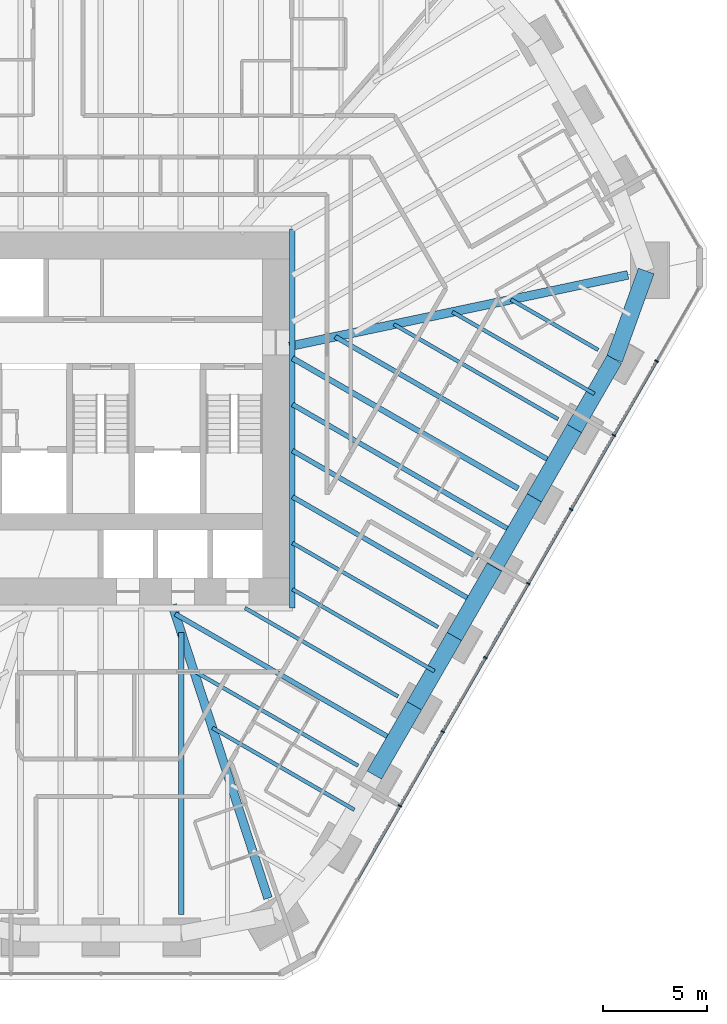
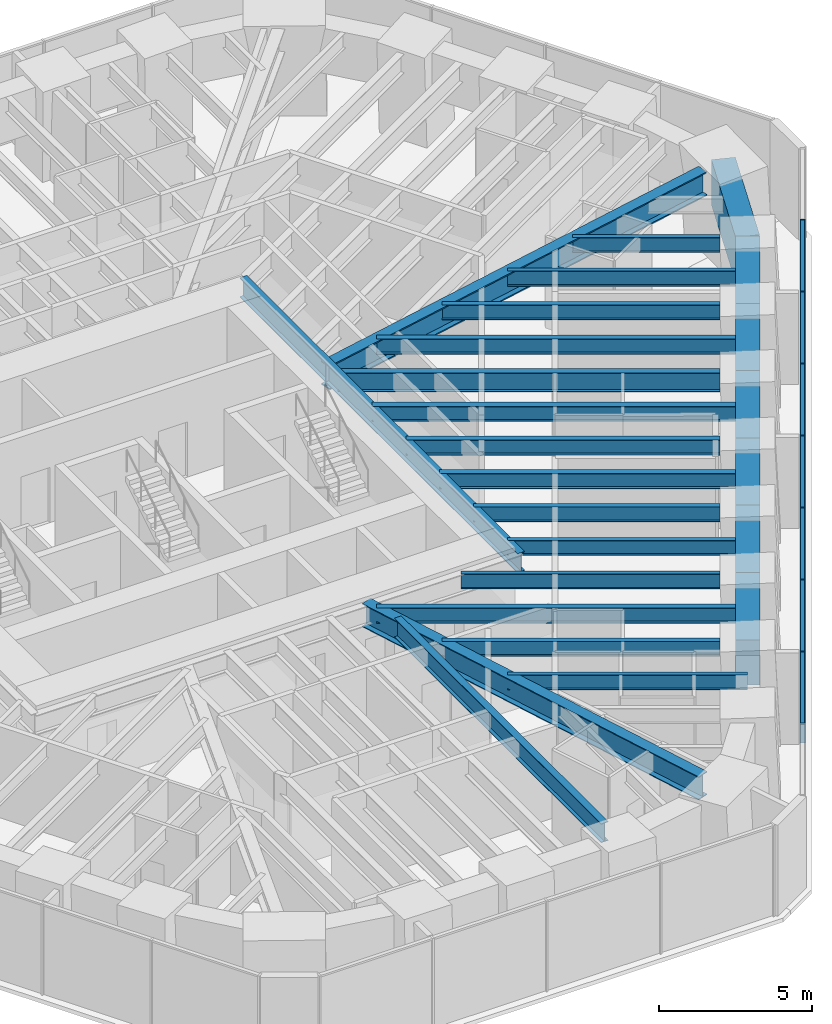
# One storey, part 5 of 18: 25 beams, 14 members, 1 element without a shape of its own.
"""IFC4 building model written with IfcOpenShell, lengths in metres."""

from ifc_helpers import new_model, si_unit, direction, frame, origin, origin_2d, place, context, subcontext, project, spatial, rectangle, i_section, extrude, material, material_profile, profile_set, type_object, element, aggregate, save


model = new_model("IFC4")

# Units and contexts
model_context = context("Model", 3, precision=1e-05, world=origin(), true_north=direction((0.0, 1.0)))
body_context = subcontext(model_context, "Body", "Model", "MODEL_VIEW")
ifc_project = project(units=[si_unit("LENGTHUNIT", "METRE"), si_unit("AREAUNIT", "SQUARE_METRE"), si_unit("VOLUMEUNIT", "CUBIC_METRE"), si_unit("PLANEANGLEUNIT", "RADIAN"), si_unit("MASSUNIT", "GRAM", prefix="KILO")], contexts=[model_context])

# Site, building, storey
site_placement = place(None, origin())
site = spatial("IfcSite", under=ifc_project, at=site_placement, CompositionType="ELEMENT")
building_placement = place(site_placement, origin())
building = spatial("IfcBuilding", under=site, at=building_placement, Name="Sandreach Pilgrim Tower", CompositionType="ELEMENT")
storey_placement = place(building_placement, frame((0.0, 0.0, 157.60009765625)))
storey = spatial("IfcBuildingStorey", under=building, at=storey_placement, Name="L39", CompositionType="ELEMENT", Elevation=157.60009765625)

# Curtain wall, members
ifc_material_1 = material(Name="Aluminium framed curtain wall", Category="aluminium")
curtain_wall_type = type_object("IfcCurtainWallType", Name="Hotel tower curtain wall", PredefinedType="NOTDEFINED", material=ifc_material_1)
curtain_wall_placement = place(storey_placement, origin())
curtain_wall = element("IfcCurtainWall", 1, at=curtain_wall_placement, inside=storey, type_object=curtain_wall_type, Name="CW-2 L39 SE", PredefinedType="NOTDEFINED")
ifc_material_2 = material(Name="Aluminium extrusion", Category="aluminium")
ifc_material_profile_1 = material_profile(ifc_material_2, rectangle(XDim=0.06494140625, YDim=0.179931640625, at=origin_2d()), Name="CW-2M 65X180")
ifc_profile_set_1 = profile_set([ifc_material_profile_1], Name="Aluminium extrusion")
member_type_1 = type_object("IfcMemberType", Name="CW-2 mullion", PredefinedType="MULLION", material=ifc_profile_set_1)
member_1_placement = place(storey_placement, frame((26.66748046875, 1.20166015625, 0.0), z_axis=(0.0, 0.0, 1.0), x_axis=(-0.5, -0.866025403784, 0.0)))
member_1 = element("IfcMember", 2, at=member_1_placement, type_object=member_type_1, Name="CW-2 mullion 2", PredefinedType="MULLION", context=body_context, shape_type="SweptSolid", body=[
    extrude(rectangle(XDim=0.06494140625, YDim=0.179931640625, at=origin_2d()), origin(), (0.0, 0.0, 1.0), 3.639892578125),
])
member_2_placement = place(storey_placement, frame((24.614013671875, -2.35498046875, 0.0), z_axis=(0.0, 0.0, 1.0), x_axis=(-0.5, -0.866025403784, 0.0)))
member_2 = element("IfcMember", 3, at=member_2_placement, type_object=member_type_1, Name="CW-2 mullion 3", PredefinedType="MULLION", context=body_context, shape_type="SweptSolid", body=[
    extrude(rectangle(XDim=0.06494140625, YDim=0.179931640625, at=origin_2d()), origin(), (0.0, 0.0, 1.0), 3.639892578125),
])
member_3_placement = place(storey_placement, frame((22.560302734375, -5.911865234375, 0.0), z_axis=(0.0, 0.0, 1.0), x_axis=(-0.5, -0.866025403784, 0.0)))
member_3 = element("IfcMember", 4, at=member_3_placement, type_object=member_type_1, Name="CW-2 mullion 4", PredefinedType="MULLION", context=body_context, shape_type="SweptSolid", body=[
    extrude(rectangle(XDim=0.06494140625, YDim=0.179931640625, at=origin_2d()), origin(), (0.0, 0.0, 1.0), 3.639892578125),
])
member_4_placement = place(storey_placement, frame((20.5068359375, -9.468505859375, 0.0), z_axis=(0.0, 0.0, 1.0), x_axis=(-0.5, -0.866025403784, 0.0)))
member_4 = element("IfcMember", 5, at=member_4_placement, type_object=member_type_1, Name="CW-2 mullion 5", PredefinedType="MULLION", context=body_context, shape_type="SweptSolid", body=[
    extrude(rectangle(XDim=0.06494140625, YDim=0.179931640625, at=origin_2d()), origin(), (0.0, 0.0, 1.0), 3.639892578125),
])
member_5_placement = place(storey_placement, frame((18.453369140625, -13.025146484375, 0.0), z_axis=(0.0, 0.0, 1.0), x_axis=(-0.5, -0.866025403784, 0.0)))
member_5 = element("IfcMember", 6, at=member_5_placement, type_object=member_type_1, Name="CW-2 mullion 6", PredefinedType="MULLION", context=body_context, shape_type="SweptSolid", body=[
    extrude(rectangle(XDim=0.06494140625, YDim=0.179931640625, at=origin_2d()), origin(), (0.0, 0.0, 1.0), 3.639892578125),
])
member_6_placement = place(storey_placement, frame((16.39990234375, -16.58203125, 0.0), z_axis=(0.0, 0.0, 1.0), x_axis=(-0.5, -0.866025403784, 0.0)))
member_6 = element("IfcMember", 7, at=member_6_placement, type_object=member_type_1, Name="CW-2 mullion 7", PredefinedType="MULLION", context=body_context, shape_type="SweptSolid", body=[
    extrude(rectangle(XDim=0.06494140625, YDim=0.179931640625, at=origin_2d()), origin(), (0.0, 0.0, 1.0), 3.639892578125),
])
member_7_placement = place(storey_placement, frame((14.346435546875, -20.138671875, 0.0), z_axis=(0.0, 0.0, 1.0), x_axis=(-0.5, -0.866025403784, 0.0)))
member_7 = element("IfcMember", 8, at=member_7_placement, type_object=member_type_1, Name="CW-2 mullion 8", PredefinedType="MULLION", context=body_context, shape_type="SweptSolid", body=[
    extrude(rectangle(XDim=0.06494140625, YDim=0.179931640625, at=origin_2d()), origin(), (0.0, 0.0, 1.0), 3.639892578125),
])
ifc_material_3 = material(Name="Aluminium extrusion", Category="aluminium")
ifc_material_profile_2 = material_profile(ifc_material_3, rectangle(XDim=0.139892578125, YDim=0.070068359375, at=origin_2d()), Name="CW-2T 140X70")
ifc_profile_set_2 = profile_set([ifc_material_profile_2], Name="Aluminium extrusion")
member_type_2 = type_object("IfcMemberType", Name="CW-2 transom", PredefinedType="USERDEFINED", material=ifc_profile_set_2)
member_8_placement = place(storey_placement, frame((26.651123046875, 1.173583984375, 3.60498046875), z_axis=(-0.499997818338, -0.866026663364, 0.0), x_axis=(0.866026663364, -0.499997818338, 0.0)))
member_8 = element("IfcMember", 9, at=member_8_placement, type_object=member_type_2, Name="CW-2 head transom 2", ObjectType="TRANSOM", PredefinedType="USERDEFINED", context=body_context, shape_type="SweptSolid", body=[
    extrude(rectangle(XDim=0.139892578125, YDim=0.070068359375, at=origin_2d()), origin(), (0.0, 0.0, 1.0), 4.0419921875),
])
member_9_placement = place(storey_placement, frame((24.59765625, -2.38330078125, 3.60498046875), z_axis=(-0.500023973715, -0.866011562111, 0.0), x_axis=(0.866011562111, -0.500023973715, 0.0)))
member_9 = element("IfcMember", 10, at=member_9_placement, type_object=member_type_2, Name="CW-2 head transom 3", ObjectType="TRANSOM", PredefinedType="USERDEFINED", context=body_context, shape_type="SweptSolid", body=[
    extrude(rectangle(XDim=0.139892578125, YDim=0.070068359375, at=origin_2d()), origin(), (0.0, 0.0, 1.0), 4.041748046875),
])
member_10_placement = place(storey_placement, frame((22.544189453125, -5.93994140625, 3.60498046875), z_axis=(-0.499997818338, -0.866026663364, 0.0), x_axis=(0.866026663364, -0.499997818338, 0.0)))
member_10 = element("IfcMember", 11, at=member_10_placement, type_object=member_type_2, Name="CW-2 head transom 4", ObjectType="TRANSOM", PredefinedType="USERDEFINED", context=body_context, shape_type="SweptSolid", body=[
    extrude(rectangle(XDim=0.139892578125, YDim=0.070068359375, at=origin_2d()), origin(), (0.0, 0.0, 1.0), 4.0419921875),
])
member_11_placement = place(storey_placement, frame((20.49072265625, -9.49658203125, 3.60498046875), z_axis=(-0.499997818338, -0.866026663364, 0.0), x_axis=(0.866026663364, -0.499997818338, 0.0)))
member_11 = element("IfcMember", 12, at=member_11_placement, type_object=member_type_2, Name="CW-2 head transom 5", ObjectType="TRANSOM", PredefinedType="USERDEFINED", context=body_context, shape_type="SweptSolid", body=[
    extrude(rectangle(XDim=0.139892578125, YDim=0.070068359375, at=origin_2d()), origin(), (0.0, 0.0, 1.0), 4.0419921875),
])
member_12_placement = place(storey_placement, frame((18.437255859375, -13.053466796875, 3.60498046875), z_axis=(-0.499997818338, -0.866026663364, 0.0), x_axis=(0.866026663364, -0.499997818338, 0.0)))
member_12 = element("IfcMember", 13, at=member_12_placement, type_object=member_type_2, Name="CW-2 head transom 6", ObjectType="TRANSOM", PredefinedType="USERDEFINED", context=body_context, shape_type="SweptSolid", body=[
    extrude(rectangle(XDim=0.139892578125, YDim=0.070068359375, at=origin_2d()), origin(), (0.0, 0.0, 1.0), 4.0419921875),
])
member_13_placement = place(storey_placement, frame((16.3837890625, -16.610107421875, 3.60498046875), z_axis=(-0.499997818338, -0.866026663364, 0.0), x_axis=(0.866026663364, -0.499997818338, 0.0)))
member_13 = element("IfcMember", 14, at=member_13_placement, type_object=member_type_2, Name="CW-2 head transom 7", ObjectType="TRANSOM", PredefinedType="USERDEFINED", context=body_context, shape_type="SweptSolid", body=[
    extrude(rectangle(XDim=0.139892578125, YDim=0.070068359375, at=origin_2d()), origin(), (0.0, 0.0, 1.0), 4.0419921875),
])
member_14_placement = place(storey_placement, frame((14.330322265625, -20.1669921875, 3.60498046875), z_axis=(-0.500023973715, -0.866011562111, 0.0), x_axis=(0.866011562111, -0.500023973715, 0.0)))
member_14 = element("IfcMember", 15, at=member_14_placement, type_object=member_type_2, Name="CW-2 head transom 8", ObjectType="TRANSOM", PredefinedType="USERDEFINED", context=body_context, shape_type="SweptSolid", body=[
    extrude(rectangle(XDim=0.139892578125, YDim=0.070068359375, at=origin_2d()), origin(), (0.0, 0.0, 1.0), 4.041748046875),
])
aggregate(curtain_wall, [member_1, member_2, member_3, member_4, member_5, member_6, member_7, member_8, member_9, member_10, member_11, member_12, member_13, member_14])

# Beams
ifc_material_4 = material(Name="Steel ASTM A992 Grade 50", Category="steel")
ifc_material_profile_3 = material_profile(ifc_material_4, i_section(OverallWidth=0.2666015625, OverallDepth=0.77978515625, WebThickness=0.0166015625, FlangeThickness=0.030029296875, at=origin_2d()), Name="W30X148")
ifc_profile_set_3 = profile_set([ifc_material_profile_3], Name="Steel ASTM A992 Grade 50")
beam_type_1 = type_object("IfcBeamType", Name="Core edge beam W30X148", PredefinedType="BEAM", material=ifc_profile_set_3)
beam_1_placement = place(storey_placement, frame((9.193359375, 7.54345703125, 3.25), z_axis=(0.0, -1.0, 0.0), x_axis=(1.0, 0.0, 0.0)))
element("IfcBeam", 16, at=beam_1_placement, inside=storey, type_object=beam_type_1, Name="BM L39 CEE", PredefinedType="BEAM", context=body_context, shape_type="SweptSolid", body=[
    extrude(i_section(OverallWidth=0.2666015625, OverallDepth=0.77978515625, WebThickness=0.0166015625, FlangeThickness=0.030029296875, at=origin_2d()), origin(), (0.0, 0.0, 1.0), 18.186767578125),
])
ifc_material_5 = material(Name="Steel ASTM A992 Grade 50", Category="steel")
ifc_material_profile_4 = material_profile(ifc_material_5, i_section(OverallWidth=0.419189453125, OverallDepth=0.927001953125, WebThickness=0.019287109375, FlangeThickness=0.031982421875, at=origin_2d()), Name="W36X231")
ifc_profile_set_4 = profile_set([ifc_material_profile_4], Name="Steel ASTM A992 Grade 50")
beam_type_2 = type_object("IfcBeamType", Name="Corner girder W36X231", PredefinedType="BEAM", material=ifc_profile_set_4)
beam_2_placement = place(storey_placement, frame((8.0205078125, -24.57080078125, 3.17626953125), z_axis=(-0.310308394945, 0.950635945053, 0.0), x_axis=(-0.950635945053, -0.310308394945, 0.0)))
element("IfcBeam", 17, at=beam_2_placement, inside=storey, type_object=beam_type_2, Name="BM L39 CG22", PredefinedType="BEAM", context=body_context, shape_type="SweptSolid", body=[
    extrude(i_section(OverallWidth=0.419189453125, OverallDepth=0.927001953125, WebThickness=0.019287109375, FlangeThickness=0.031982421875, at=origin_2d()), origin(), (0.0, 0.0, 1.0), 14.801513671875),
])
ifc_material_6 = material(Name="Steel ASTM A992 Grade 50", Category="steel")
ifc_material_profile_5 = material_profile(ifc_material_6, i_section(OverallWidth=0.421630859375, OverallDepth=0.95751953125, WebThickness=0.02587890625, FlangeThickness=0.046875, at=origin_2d()), Name="W36X330")
ifc_profile_set_5 = profile_set([ifc_material_profile_5], Name="Steel ASTM A992 Grade 50")
beam_type_3 = type_object("IfcBeamType", Name="Corner girder W36X330", PredefinedType="BEAM", material=ifc_profile_set_5)
beam_3_placement = place(storey_placement, frame((25.2890625, 5.33935546875, 3.1611328125), z_axis=(-0.978428503133, -0.206585731008, 0.0), x_axis=(0.206585731008, -0.978428503133, 0.0)))
element("IfcBeam", 18, at=beam_3_placement, inside=storey, type_object=beam_type_3, Name="BM L39 CG13", PredefinedType="BEAM", context=body_context, shape_type="SweptSolid", body=[
    extrude(i_section(OverallWidth=0.421630859375, OverallDepth=0.95751953125, WebThickness=0.02587890625, FlangeThickness=0.046875, at=origin_2d()), origin(), (0.0, 0.0, 1.0), 16.596923828125),
])
ifc_material_7 = material(Name="Steel ASTM A992 Grade 50", Category="steel")
ifc_material_profile_6 = material_profile(ifc_material_7, i_section(OverallWidth=0.1787109375, OverallDepth=0.60205078125, WebThickness=0.010986328125, FlangeThickness=0.014892578125, at=origin_2d()), Name="W24X62")
ifc_profile_set_6 = profile_set([ifc_material_profile_6], Name="Steel ASTM A992 Grade 50")
beam_type_4 = type_object("IfcBeamType", Name="Floor beam W24X62", PredefinedType="BEAM", material=ifc_profile_set_6)
beam_4_placement = place(storey_placement, frame((23.862548828125, 1.74169921875, 3.3388671875), z_axis=(-0.866015461751, 0.500017219711, 0.0), x_axis=(-0.500017219711, -0.866015461751, 0.0)))
element("IfcBeam", 19, at=beam_4_placement, inside=storey, type_object=beam_type_4, Name="BM L39 F14", PredefinedType="BEAM", context=body_context, shape_type="SweptSolid", body=[
    extrude(i_section(OverallWidth=0.1787109375, OverallDepth=0.60205078125, WebThickness=0.010986328125, FlangeThickness=0.014892578125, at=origin_2d()), origin(), (0.0, 0.0, 1.0), 4.827392578125),
])
beam_5_placement = place(storey_placement, frame((21.942626953125, -1.583740234375, 3.3388671875), z_axis=(-0.866018113973, 0.500012626112, 0.0), x_axis=(-0.500012626112, -0.866018113973, 0.0)))
element("IfcBeam", 20, at=beam_5_placement, inside=storey, type_object=beam_type_4, Name="BM L39 F15", PredefinedType="BEAM", context=body_context, shape_type="SweptSolid", body=[
    extrude(i_section(OverallWidth=0.1787109375, OverallDepth=0.60205078125, WebThickness=0.010986328125, FlangeThickness=0.014892578125, at=origin_2d()), origin(), (0.0, 0.0, 1.0), 9.103759765625),
])
beam_6_placement = place(storey_placement, frame((16.1826171875, -11.56005859375, 3.3388671875), z_axis=(-0.866017328257, 0.500013986963, 0.0), x_axis=(-0.500013986963, -0.866017328257, 0.0)))
element("IfcBeam", 21, at=beam_6_placement, inside=storey, type_object=beam_type_4, Name="BM L39 F18", PredefinedType="BEAM", context=body_context, shape_type="SweptSolid", body=[
    extrude(i_section(OverallWidth=0.1787109375, OverallDepth=0.60205078125, WebThickness=0.010986328125, FlangeThickness=0.014892578125, at=origin_2d()), origin(), (0.0, 0.0, 1.0), 8.070556640625),
])
beam_7_placement = place(storey_placement, frame((14.2626953125, -14.885498046875, 3.3388671875), z_axis=(-0.866024577697, 0.500001430823, 0.0), x_axis=(-0.500001430823, -0.866024577697, 0.0)))
element("IfcBeam", 22, at=beam_7_placement, inside=storey, type_object=beam_type_4, Name="BM L39 F19", PredefinedType="BEAM", context=body_context, shape_type="SweptSolid", body=[
    extrude(i_section(OverallWidth=0.1787109375, OverallDepth=0.60205078125, WebThickness=0.010986328125, FlangeThickness=0.014892578125, at=origin_2d()), origin(), (0.0, 0.0, 1.0), 8.484375),
])
beam_8_placement = place(storey_placement, frame((12.3427734375, -18.2109375, 3.3388671875), z_axis=(-0.866029726416, 0.499992512907, 0.0), x_axis=(-0.499992512907, -0.866029726416, 0.0)))
element("IfcBeam", 23, at=beam_8_placement, inside=storey, type_object=beam_type_4, Name="BM L39 F20", PredefinedType="BEAM", context=body_context, shape_type="SweptSolid", body=[
    extrude(i_section(OverallWidth=0.1787109375, OverallDepth=0.60205078125, WebThickness=0.010986328125, FlangeThickness=0.014892578125, at=origin_2d()), origin(), (0.0, 0.0, 1.0), 9.103759765625),
])
beam_9_placement = place(storey_placement, frame((23.681884765625, -0.370849609375, 3.3388671875), z_axis=(-0.866034138114, 0.499984871393, 0.0), x_axis=(-0.499984871393, -0.866034138114, 0.0)))
element("IfcBeam", 24, at=beam_9_placement, inside=storey, type_object=beam_type_4, Name="BM L39 FM14", PredefinedType="BEAM", context=body_context, shape_type="SweptSolid", body=[
    extrude(i_section(OverallWidth=0.1787109375, OverallDepth=0.60205078125, WebThickness=0.010986328125, FlangeThickness=0.014892578125, at=origin_2d()), origin(), (0.0, 0.0, 1.0), 7.865478515625),
])
beam_10_placement = place(storey_placement, frame((16.002197265625, -13.6728515625, 3.3388671875), z_axis=(-0.866021661137, 0.500006482399, 0.0), x_axis=(-0.500006482399, -0.866021661137, 0.0)))
element("IfcBeam", 25, at=beam_10_placement, inside=storey, type_object=beam_type_4, Name="BM L39 FM18", PredefinedType="BEAM", context=body_context, shape_type="SweptSolid", body=[
    extrude(i_section(OverallWidth=0.1787109375, OverallDepth=0.60205078125, WebThickness=0.010986328125, FlangeThickness=0.014892578125, at=origin_2d()), origin(), (0.0, 0.0, 1.0), 7.8623046875),
])
beam_11_placement = place(storey_placement, frame((12.162109375, -20.32373046875, 3.3388671875), z_axis=(-0.866020697766, 0.500008150974, 0.0), x_axis=(-0.500008150974, -0.866020697766, 0.0)))
element("IfcBeam", 26, at=beam_11_placement, inside=storey, type_object=beam_type_4, Name="BM L39 FM20", PredefinedType="BEAM", context=body_context, shape_type="SweptSolid", body=[
    extrude(i_section(OverallWidth=0.1787109375, OverallDepth=0.60205078125, WebThickness=0.010986328125, FlangeThickness=0.014892578125, at=origin_2d()), origin(), (0.0, 0.0, 1.0), 7.865478515625),
])
ifc_material_8 = material(Name="Steel ASTM A992 Grade 50", Category="steel")
ifc_material_profile_7 = material_profile(ifc_material_8, i_section(OverallWidth=0.23046875, OverallDepth=0.6171875, WebThickness=0.01318359375, FlangeThickness=0.022216796875, at=origin_2d()), Name="W24X94")
ifc_profile_set_7 = profile_set([ifc_material_profile_7], Name="Steel ASTM A992 Grade 50")
beam_type_5 = type_object("IfcBeamType", Name="Floor beam W24X94", PredefinedType="BEAM", material=ifc_profile_set_7)
beam_12_placement = place(storey_placement, frame((18.1025390625, -8.234619140625, 3.331298828125), z_axis=(-0.866021971758, 0.500005944398, 0.0), x_axis=(-0.500005944398, -0.866021971758, 0.0)))
element("IfcBeam", 27, at=beam_12_placement, inside=storey, type_object=beam_type_5, Name="BM L39 F17", PredefinedType="BEAM", context=body_context, shape_type="SweptSolid", body=[
    extrude(i_section(OverallWidth=0.23046875, OverallDepth=0.6171875, WebThickness=0.01318359375, FlangeThickness=0.022216796875, at=origin_2d()), origin(), (0.0, 0.0, 1.0), 10.287353515625),
])
beam_13_placement = place(storey_placement, frame((21.761962890625, -3.6962890625, 3.331298828125), z_axis=(-0.866029549009, 0.499992820192, 0.0), x_axis=(-0.499992820192, -0.866029549009, 0.0)))
element("IfcBeam", 28, at=beam_13_placement, inside=storey, type_object=beam_type_5, Name="BM L39 FM15", PredefinedType="BEAM", context=body_context, shape_type="SweptSolid", body=[
    extrude(i_section(OverallWidth=0.23046875, OverallDepth=0.6171875, WebThickness=0.01318359375, FlangeThickness=0.022216796875, at=origin_2d()), origin(), (0.0, 0.0, 1.0), 12.141845703125),
])
beam_14_placement = place(storey_placement, frame((19.842041015625, -7.02197265625, 3.331298828125), z_axis=(-0.866019271044, 0.500010622067, 0.0), x_axis=(-0.500010622067, -0.866019271044, 0.0)))
element("IfcBeam", 29, at=beam_14_placement, inside=storey, type_object=beam_type_5, Name="BM L39 FM16", PredefinedType="BEAM", context=body_context, shape_type="SweptSolid", body=[
    extrude(i_section(OverallWidth=0.23046875, OverallDepth=0.6171875, WebThickness=0.01318359375, FlangeThickness=0.022216796875, at=origin_2d()), origin(), (0.0, 0.0, 1.0), 12.296142578125),
])
beam_15_placement = place(storey_placement, frame((17.922119140625, -10.347412109375, 3.331298828125), z_axis=(-0.866025447568, 0.499999924165, 0.0), x_axis=(-0.499999924165, -0.866025447568, 0.0)))
element("IfcBeam", 30, at=beam_15_placement, inside=storey, type_object=beam_type_5, Name="BM L39 FM17", PredefinedType="BEAM", context=body_context, shape_type="SweptSolid", body=[
    extrude(i_section(OverallWidth=0.23046875, OverallDepth=0.6171875, WebThickness=0.01318359375, FlangeThickness=0.022216796875, at=origin_2d()), origin(), (0.0, 0.0, 1.0), 10.0791015625),
])
beam_16_placement = place(storey_placement, frame((14.082275390625, -16.998291015625, 3.331298828125), z_axis=(-0.8660258691, 0.499999194049, 0.0), x_axis=(-0.499999194049, -0.8660258691, 0.0)))
element("IfcBeam", 31, at=beam_16_placement, inside=storey, type_object=beam_type_5, Name="BM L39 FM19", PredefinedType="BEAM", context=body_context, shape_type="SweptSolid", body=[
    extrude(i_section(OverallWidth=0.23046875, OverallDepth=0.6171875, WebThickness=0.01318359375, FlangeThickness=0.022216796875, at=origin_2d()), origin(), (0.0, 0.0, 1.0), 12.14208984375),
])
ifc_material_9 = material(Name="Steel ASTM A992 Grade 50", Category="steel")
ifc_material_profile_8 = material_profile(ifc_material_9, i_section(OverallWidth=0.2666015625, OverallDepth=0.761962890625, WebThickness=0.014404296875, FlangeThickness=0.021484375, at=origin_2d()), Name="W30X116")
ifc_profile_set_8 = profile_set([ifc_material_profile_8], Name="Steel ASTM A992 Grade 50")
beam_type_6 = type_object("IfcBeamType", Name="Floor beam W30X116", PredefinedType="BEAM", material=ifc_profile_set_8)
beam_17_placement = place(storey_placement, frame((20.022705078125, -4.9091796875, 3.2587890625), z_axis=(-0.86602139559, 0.500006942333, 0.0), x_axis=(-0.500006942333, -0.86602139559, 0.0)))
element("IfcBeam", 32, at=beam_17_placement, inside=storey, type_object=beam_type_6, Name="BM L39 F16", PredefinedType="BEAM", context=body_context, shape_type="SweptSolid", body=[
    extrude(i_section(OverallWidth=0.2666015625, OverallDepth=0.761962890625, WebThickness=0.014404296875, FlangeThickness=0.021484375, at=origin_2d()), origin(), (0.0, 0.0, 1.0), 12.504638671875),
])
beam_18_placement = place(storey_placement, frame((3.856201171875, -25.3583984375, 3.2587890625), z_axis=(0.0, 1.0, 0.0), x_axis=(-1.0, 0.0, 0.0)))
element("IfcBeam", 33, at=beam_18_placement, inside=storey, type_object=beam_type_6, Name="BM L39 F23", PredefinedType="BEAM", context=body_context, shape_type="SweptSolid", body=[
    extrude(i_section(OverallWidth=0.2666015625, OverallDepth=0.761962890625, WebThickness=0.014404296875, FlangeThickness=0.021484375, at=origin_2d()), origin(), (0.0, 0.0, 1.0), 13.544921875),
])
ifc_material_10 = material(Name="Concrete 10000 psi", Category="concrete")
ifc_material_profile_9 = material_profile(ifc_material_10, rectangle(XDim=0.800048828125, YDim=1.800048828125, at=origin_2d()), Name="RC800X1800")
ifc_profile_set_9 = profile_set([ifc_material_profile_9], Name="Concrete 10000 psi")
beam_type_7 = type_object("IfcBeamType", Name="Spandrel beam RC800X1800", PredefinedType="SPANDREL", material=ifc_profile_set_9)
beam_19_placement = place(storey_placement, frame((26.169677734375, 5.525390625, 2.739990234375), z_axis=(-0.339451182068, -0.940623673417, 0.0), x_axis=(0.940623673417, -0.339451182068, 0.0)))
element("IfcBeam", 34, at=beam_19_placement, inside=storey, type_object=beam_type_7, Name="BM L39 SP13", PredefinedType="SPANDREL", context=body_context, shape_type="SweptSolid", body=[
    extrude(rectangle(XDim=0.800048828125, YDim=1.800048828125, at=origin_2d()), origin(), (0.0, 0.0, 1.0), 4.5009765625),
])
for number, where, z_axis, x_axis, name in (
    (35, (24.641845703125, 1.291748046875, 2.739990234375), (-0.499995802899, -0.866027826969, 0.0), (0.866027826969, -0.499995802899, 0.0), "BM L39 SP14"),
    (36, (22.721923828125, -2.03369140625, 2.739990234375), (-0.499995802899, -0.866027826969, 0.0), (0.866027826969, -0.499995802899, 0.0), "BM L39 SP15"),
    (37, (20.802001953125, -5.359130859375, 2.739990234375), (-0.499995802899, -0.866027826969, 0.0), (0.866027826969, -0.499995802899, 0.0), "BM L39 SP16"),
    (38, (18.882080078125, -8.6845703125, 2.739990234375), (-0.499995802899, -0.866027826969, 0.0), (0.866027826969, -0.499995802899, 0.0), "BM L39 SP17"),
    (39, (16.962158203125, -12.010009765625, 2.739990234375), (-0.499995802899, -0.866027826969, 0.0), (0.866027826969, -0.499995802899, 0.0), "BM L39 SP18"),
):
    element("IfcBeam", number, at=place(storey_placement, frame(where, z_axis=z_axis, x_axis=x_axis)), inside=storey, type_object=beam_type_7, Name=name, PredefinedType="SPANDREL", context=body_context, shape_type="SweptSolid", body=[
        extrude(rectangle(XDim=0.800048828125, YDim=1.800048828125, at=origin_2d()), origin(), (0.0, 0.0, 1.0), 3.83984375),
    ])
beam_20_placement = place(storey_placement, frame((15.042236328125, -15.33544921875, 2.739990234375), z_axis=(-0.500043486147, -0.86600029559, 0.0), x_axis=(0.86600029559, -0.500043486147, 0.0)))
element("IfcBeam", 40, at=beam_20_placement, inside=storey, type_object=beam_type_7, Name="BM L39 SP19", PredefinedType="SPANDREL", context=body_context, shape_type="SweptSolid", body=[
    extrude(rectangle(XDim=0.800048828125, YDim=1.800048828125, at=origin_2d()), origin(), (0.0, 0.0, 1.0), 3.840087890625),
])

save(model, "model.ifc")
